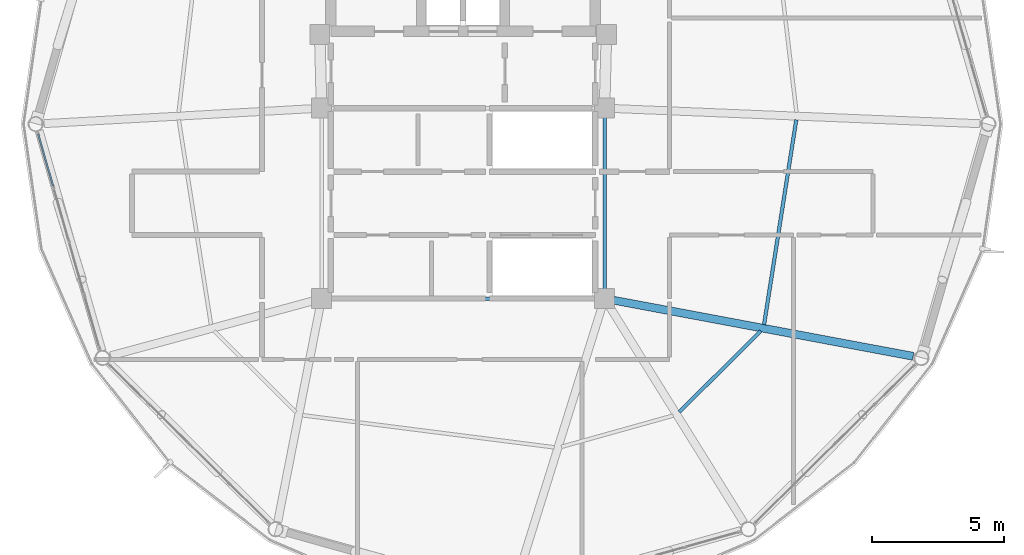
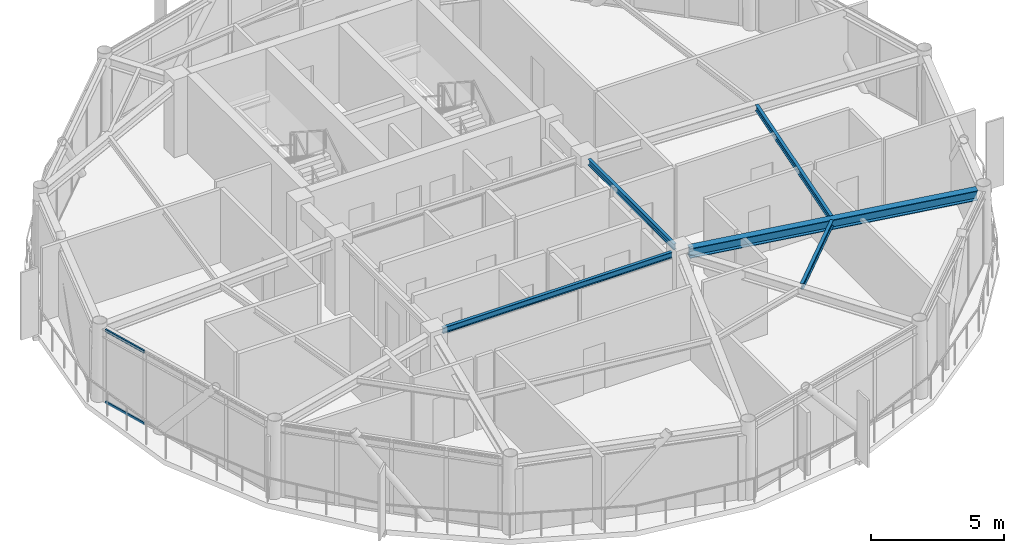
# One storey, part 9 of 24: 5 beams, 2 members, 1 element without a shape of its own.
"""IFC4 building model written with IfcOpenShell, lengths in metres."""

from ifc_helpers import new_model, si_unit, direction, frame, origin, origin_2d, place, context, subcontext, project, spatial, hollow_rectangle, i_section, extrude, material, layer, layer_set, material_profile, profile_set, type_object, element, aggregate, save


model = new_model("IFC4")

# Units and contexts
model_context = context("Model", 3, precision=1e-05, world=origin(), true_north=direction((0.0, 1.0)))
body_context = subcontext(model_context, "Body", "Model", "MODEL_VIEW")
ifc_project = project(units=[si_unit("LENGTHUNIT", "METRE"), si_unit("AREAUNIT", "SQUARE_METRE"), si_unit("VOLUMEUNIT", "CUBIC_METRE"), si_unit("PLANEANGLEUNIT", "RADIAN"), si_unit("MASSUNIT", "GRAM", prefix="KILO")], contexts=[model_context])

# Site, building, storey
site_placement = place(None, origin())
site = spatial("IfcSite", under=ifc_project, at=site_placement, CompositionType="ELEMENT")
building_placement = place(site_placement, origin())
building = spatial("IfcBuilding", under=site, at=building_placement, Name="Varnakorn Sky Granary", CompositionType="ELEMENT")
storey_placement = place(building_placement, frame((0.0, 0.0, 274.199951171875)))
storey = spatial("IfcBuildingStorey", under=building, at=storey_placement, Name="L70", CompositionType="ELEMENT", Elevation=274.199951171875)

# Beams
ifc_material_1 = material(Name="Steel S355JR", Category="steel")
ifc_material_profile_1 = material_profile(ifc_material_1, i_section(OverallWidth=0.300048828125, OverallDepth=0.449951171875, WebThickness=0.013916015625, FlangeThickness=0.02587890625, at=origin_2d()), Name="HE 450 B")
ifc_profile_set_1 = profile_set([ifc_material_profile_1], Name="Steel S355JR")
beam_type_1 = type_object("IfcBeamType", Name="BM-RAD-Z5", PredefinedType="BEAM", material=ifc_profile_set_1)
beam_1_placement = place(storey_placement, frame((8.698974609375, -6.665283203125, 3.135009765625), z_axis=(0.98292253962, -0.184019784556, 0.0), x_axis=(0.184019784556, 0.98292253962, 0.0)))
element("IfcBeam", 1, at=beam_1_placement, inside=storey, type_object=beam_type_1, Name="Radial Floor Girder RG12 L70", PredefinedType="BEAM", context=body_context, shape_type="SweptSolid", body=[
    extrude(i_section(OverallWidth=0.300048828125, OverallDepth=0.449951171875, WebThickness=0.013916015625, FlangeThickness=0.02587890625, at=origin_2d()), origin(), (0.0, 0.0, 1.0), 11.5185546875),
])
ifc_material_profile_2 = material_profile(ifc_material_1, i_section(OverallWidth=0.135009765625, OverallDepth=0.27001953125, WebThickness=0.006591796875, FlangeThickness=0.01025390625, at=origin_2d()), Name="IPE 270")
ifc_profile_set_2 = profile_set([ifc_material_profile_2], Name="Steel S355JR")
beam_type_2 = type_object("IfcBeamType", Name="BM-SEC-Z5", PredefinedType="BEAM", material=ifc_profile_set_2)
beam_2_placement = place(storey_placement, frame((11.177490234375, -10.889892578125, 3.22509765625), z_axis=(0.709041245568, 0.705167010064, 0.0), x_axis=(-0.705167010064, 0.709041245568, 0.0)))
element("IfcBeam", 2, at=beam_2_placement, inside=storey, type_object=beam_type_2, Name="Secondary Floor Chord Beam MSB11 L70", PredefinedType="BEAM", context=body_context, shape_type="SweptSolid", body=[
    extrude(i_section(OverallWidth=0.135009765625, OverallDepth=0.27001953125, WebThickness=0.006591796875, FlangeThickness=0.01025390625, at=origin_2d()), origin(), (0.0, 0.0, 1.0), 4.34814453125),
])
beam_3_placement = place(storey_placement, frame((14.381591796875, -7.5869140625, 3.22509765625), z_axis=(0.15535024662, 0.987859454009, 0.0), x_axis=(-0.987859454009, 0.15535024662, 0.0)))
element("IfcBeam", 3, at=beam_3_placement, inside=storey, type_object=beam_type_2, Name="Secondary Floor Chord Beam MSB12 L70", PredefinedType="BEAM", context=body_context, shape_type="SweptSolid", body=[
    extrude(i_section(OverallWidth=0.135009765625, OverallDepth=0.27001953125, WebThickness=0.006591796875, FlangeThickness=0.01025390625, at=origin_2d()), origin(), (0.0, 0.0, 1.0), 7.842041015625),
])
beam_4_placement = place(storey_placement, frame((8.35009765625, 0.2451171875, 3.22509765625), z_axis=(0.0, -1.0, 0.0), x_axis=(1.0, 0.0, 0.0)))
element("IfcBeam", 4, at=beam_4_placement, inside=storey, type_object=beam_type_2, Name="Core Spine Framing Beam 4 L70", PredefinedType="BEAM", context=body_context, shape_type="SweptSolid", body=[
    extrude(i_section(OverallWidth=0.135009765625, OverallDepth=0.27001953125, WebThickness=0.006591796875, FlangeThickness=0.01025390625, at=origin_2d()), origin(), (0.0, 0.0, 1.0), 6.490234375),
])
beam_5_placement = place(storey_placement, frame((-1.9951171875, -6.60009765625, 3.22509765625), z_axis=(1.0, 0.0, 0.0), x_axis=(0.0, 1.0, 0.0)))
element("IfcBeam", 5, at=beam_5_placement, inside=storey, type_object=beam_type_2, Name="Core Spine Framing Beam 6 L70", PredefinedType="BEAM", context=body_context, shape_type="SweptSolid", body=[
    extrude(i_section(OverallWidth=0.135009765625, OverallDepth=0.27001953125, WebThickness=0.006591796875, FlangeThickness=0.01025390625, at=origin_2d()), origin(), (0.0, 0.0, 1.0), 9.990234375),
])

# Curtain wall, members
ifc_material_2 = material(Name="Anodised Bronze Aluminium Alloy 6063-T6", Category="aluminium")
ifc_layer = layer(ifc_material_2, 0.159912109375, Name="Anodised Bronze Aluminium Alloy 6063-T6")
ifc_layer_set = layer_set([ifc_layer], Name="Anodised Bronze Aluminium Alloy 6063-T6")
curtain_wall_type = type_object("IfcCurtainWallType", Name="CW-OFF-1", PredefinedType="USERDEFINED", material=ifc_layer_set)
curtain_wall_placement = place(storey_placement, origin())
curtain_wall = element("IfcCurtainWall", 6, at=curtain_wall_placement, inside=storey, type_object=curtain_wall_type, Name="Unitised Curtain Wall CW6 CW-L70-B07", ObjectType="CURTAIN WALL", PredefinedType="USERDEFINED")
ifc_material_profile_3 = material_profile(ifc_material_2, hollow_rectangle(XDim=0.06494140625, YDim=0.1201171875, WallThickness=0.00341796875, at=origin_2d()), Name="ALU TRAN 65x120")
ifc_profile_set_3 = profile_set([ifc_material_profile_3], Name="Anodised Bronze Aluminium Alloy 6063-T6")
member_type = type_object("IfcMemberType", Name="CW-OFF-1-TRAN", PredefinedType="USERDEFINED", material=ifc_profile_set_3)
member_1_placement = place(storey_placement, frame((-12.50048828125, -2.344482421875, 0.032470703125), z_axis=(-0.274990620279, 0.961446908965, 0.0), x_axis=(-0.961446908965, -0.274990620279, 0.0)))
member_1 = element("IfcMember", 7, at=member_1_placement, type_object=member_type, Name="CW6 transom 4.1", ObjectType="TRANSOM", PredefinedType="USERDEFINED", context=body_context, shape_type="SweptSolid", body=[
    extrude(hollow_rectangle(XDim=0.06494140625, YDim=0.1201171875, WallThickness=0.00341796875, at=origin_2d()), origin(), (0.0, 0.0, 1.0), 2.033935546875),
])
member_2_placement = place(storey_placement, frame((-12.50048828125, -2.344482421875, 3.32763671875), z_axis=(-0.274990620279, 0.961446908965, 0.0), x_axis=(-0.961446908965, -0.274990620279, 0.0)))
member_2 = element("IfcMember", 8, at=member_2_placement, type_object=member_type, Name="CW6 transom 4.2", ObjectType="TRANSOM", PredefinedType="USERDEFINED", context=body_context, shape_type="SweptSolid", body=[
    extrude(hollow_rectangle(XDim=0.06494140625, YDim=0.1201171875, WallThickness=0.00341796875, at=origin_2d()), origin(), (0.0, 0.0, 1.0), 2.033935546875),
])
aggregate(curtain_wall, [member_1, member_2])

save(model, "model.ifc")
